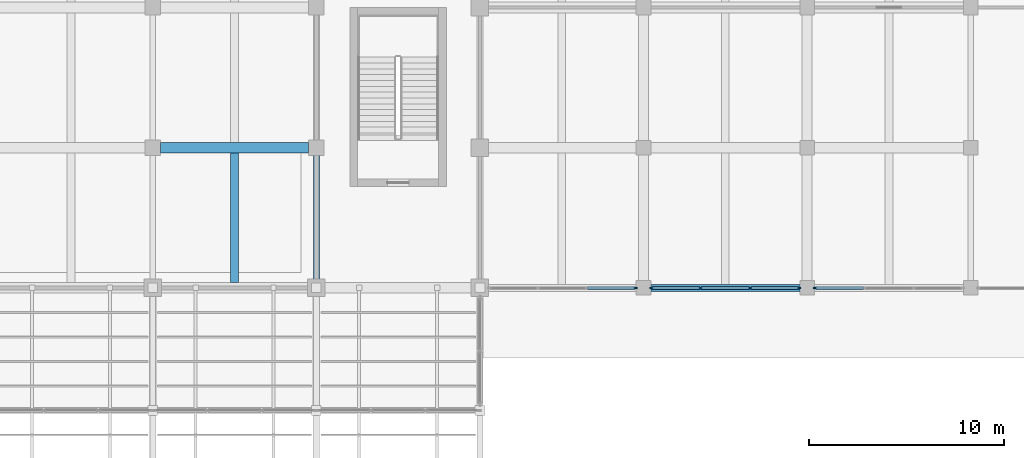
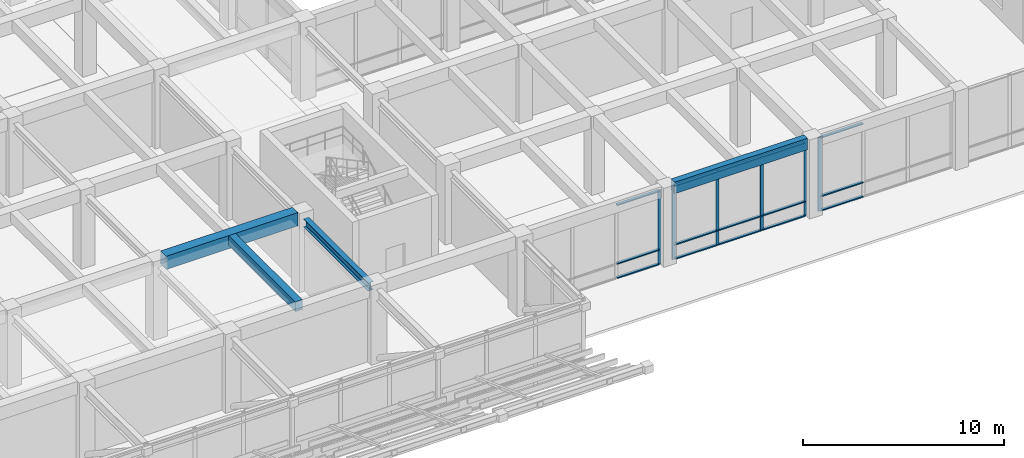
# One storey, part 14 of 52: 21 members, 4 beams, 3 elements without a shape of their own.
"""IFC4 building model written with IfcOpenShell, lengths in metres."""

from ifc_helpers import new_model, si_unit, direction, frame, origin, origin_2d, place, context, subcontext, project, spatial, rectangle, i_section, extrude, material, material_profile, profile_set, type_object, element, aggregate, save


model = new_model("IFC4")

# Units and contexts
model_context = context("Model", 3, precision=1e-05, world=origin(), true_north=direction((0.0, 1.0)))
body_context = subcontext(model_context, "Body", "Model", "MODEL_VIEW")
ifc_project = project(units=[si_unit("LENGTHUNIT", "METRE"), si_unit("AREAUNIT", "SQUARE_METRE"), si_unit("VOLUMEUNIT", "CUBIC_METRE"), si_unit("PLANEANGLEUNIT", "RADIAN"), si_unit("MASSUNIT", "GRAM", prefix="KILO")], contexts=[model_context])

# Site, building, storey
site_placement = place(None, origin())
site = spatial("IfcSite", under=ifc_project, at=site_placement, CompositionType="ELEMENT")
building_placement = place(site_placement, origin())
building = spatial("IfcBuilding", under=site, at=building_placement, Name="Kenerak Square Central Library", CompositionType="ELEMENT")
storey_placement = place(building_placement, frame((0.0, 0.0, 4.800048828125)))
storey = spatial("IfcBuildingStorey", under=building, at=storey_placement, Name="L01", CompositionType="ELEMENT", Elevation=4.800048828125)

# Beam
ifc_material_1 = material(Name="Steel S355", Category="steel")
ifc_material_profile_1 = material_profile(ifc_material_1, i_section(OverallWidth=0.300048828125, OverallDepth=0.5, WebThickness=0.014404296875, FlangeThickness=0.028076171875, FilletRadius=0.027099609375, at=origin_2d()), Name="HEB 500")
ifc_profile_set_1 = profile_set([ifc_material_profile_1], Name="Steel S355")
beam_type_1 = type_object("IfcBeamType", Name="Backspan Steel Girder SB-03 HEB 500 S355", PredefinedType="BEAM", material=ifc_profile_set_1)
beam_1_placement = place(storey_placement, frame((108.800048828125, 17.179931640625, 4.14990234375), z_axis=(0.0, 1.0, 0.0), x_axis=(-1.0, 0.0, 0.0)))
element("IfcBeam", 1, at=beam_1_placement, inside=storey, type_object=beam_type_1, Name="Overhang Backspan Tie Girder 7 L01 097", PredefinedType="BEAM", context=body_context, shape_type="SweptSolid", body=[
    extrude(i_section(OverallWidth=0.300048828125, OverallDepth=0.5, WebThickness=0.014404296875, FlangeThickness=0.028076171875, FilletRadius=0.027099609375, at=origin_2d()), origin(), (0.0, 0.0, 1.0), 6.440185546875),
])

# Curtain wall, member
ifc_material_2 = material(Name="Anodised aluminium and solar-control low-E glazing", Category="aluminium")
curtain_wall_type_1 = type_object("IfcCurtainWallType", Name="Curtain Wall CW-V6-76x45 7650x4500", PredefinedType="USERDEFINED", material=ifc_material_2)
curtain_wall_1_placement = place(storey_placement, origin())
curtain_wall_1 = element("IfcCurtainWall", 2, at=curtain_wall_1_placement, inside=storey, type_object=curtain_wall_type_1, Name="Curtain Wall CW-V6-76x45 L01 0044", ObjectType="CURTAIN WALL", PredefinedType="USERDEFINED")
ifc_material_3 = material(Name="Anodised aluminium 6063-T6", Category="aluminium")
ifc_material_profile_2 = material_profile(ifc_material_3, rectangle(XDim=0.06494140625, YDim=0.179931640625, at=origin_2d()), Name="AL MULLION 65x180")
ifc_profile_set_2 = profile_set([ifc_material_profile_2], Name="Anodised aluminium 6063-T6")
member_type_1 = type_object("IfcMemberType", Name="Curtain Mullion CM-01 65x180", PredefinedType="MULLION", material=ifc_profile_set_2)
member_1_placement = place(storey_placement, frame((134.407470703125, 16.800048828125, 0.0), z_axis=(0.0, 0.0, 1.0), x_axis=(0.0, -1.0, 0.0)))
member_1 = element("IfcMember", 3, at=member_1_placement, type_object=member_type_1, Name="CW-V6-76x45 Mullion 4", PredefinedType="MULLION", context=body_context, shape_type="SweptSolid", body=[
    extrude(rectangle(XDim=0.06494140625, YDim=0.179931640625, at=origin_2d()), origin(), (0.0, 0.0, 1.0), 4.5),
])

# Curtain wall, members
curtain_wall_2_placement = place(storey_placement, origin())
curtain_wall_2 = element("IfcCurtainWall", 4, at=curtain_wall_2_placement, inside=storey, type_object=curtain_wall_type_1, Name="Curtain Wall CW-V6-76x45 L01 0045", ObjectType="CURTAIN WALL", PredefinedType="USERDEFINED")
member_2_placement = place(storey_placement, frame((133.592529296875, 16.800048828125, 0.0), z_axis=(0.0, 0.0, 1.0), x_axis=(0.0, -1.0, 0.0)))
member_2 = element("IfcMember", 5, at=member_2_placement, type_object=member_type_1, Name="CW-V6-76x45 Mullion 1", PredefinedType="MULLION", context=body_context, shape_type="SweptSolid", body=[
    extrude(rectangle(XDim=0.06494140625, YDim=0.179931640625, at=origin_2d()), origin(), (0.0, 0.0, 1.0), 4.5),
])
member_3_placement = place(storey_placement, frame((131.074951171875, 16.800048828125, 0.0), z_axis=(0.0, 0.0, 1.0), x_axis=(0.0, -1.0, 0.0)))
member_3 = element("IfcMember", 6, at=member_3_placement, type_object=member_type_1, Name="CW-V6-76x45 Mullion 2", PredefinedType="MULLION", context=body_context, shape_type="SweptSolid", body=[
    extrude(rectangle(XDim=0.06494140625, YDim=0.179931640625, at=origin_2d()), origin(), (0.0, 0.0, 1.0), 4.5),
])
member_4_placement = place(storey_placement, frame((128.52490234375, 16.800048828125, 0.0), z_axis=(0.0, 0.0, 1.0), x_axis=(0.0, -1.0, 0.0)))
member_4 = element("IfcMember", 7, at=member_4_placement, type_object=member_type_1, Name="CW-V6-76x45 Mullion 3", PredefinedType="MULLION", context=body_context, shape_type="SweptSolid", body=[
    extrude(rectangle(XDim=0.06494140625, YDim=0.179931640625, at=origin_2d()), origin(), (0.0, 0.0, 1.0), 4.5),
])
member_5_placement = place(storey_placement, frame((126.007568359375, 16.800048828125, 0.0), z_axis=(0.0, 0.0, 1.0), x_axis=(0.0, -1.0, 0.0)))
member_5 = element("IfcMember", 8, at=member_5_placement, type_object=member_type_1, Name="CW-V6-76x45 Mullion 4", PredefinedType="MULLION", context=body_context, shape_type="SweptSolid", body=[
    extrude(rectangle(XDim=0.06494140625, YDim=0.179931640625, at=origin_2d()), origin(), (0.0, 0.0, 1.0), 4.5),
])

# Curtain wall, member
curtain_wall_type_2 = type_object("IfcCurtainWallType", Name="Curtain Wall CW-V6-75x45 7575x4500", PredefinedType="USERDEFINED", material=ifc_material_2)
curtain_wall_3_placement = place(storey_placement, origin())
curtain_wall_3 = element("IfcCurtainWall", 9, at=curtain_wall_3_placement, inside=storey, type_object=curtain_wall_type_2, Name="Curtain Wall CW-V6-75x45 L01 0046", ObjectType="CURTAIN WALL", PredefinedType="USERDEFINED")
member_6_placement = place(storey_placement, frame((125.1923828125, 16.800048828125, 0.0), z_axis=(0.0, 0.0, 1.0), x_axis=(0.0, -1.0, 0.0)))
member_6 = element("IfcMember", 10, at=member_6_placement, type_object=member_type_1, Name="CW-V6-75x45 Mullion 1", PredefinedType="MULLION", context=body_context, shape_type="SweptSolid", body=[
    extrude(rectangle(XDim=0.06494140625, YDim=0.179931640625, at=origin_2d()), origin(), (0.0, 0.0, 1.0), 4.5),
])

# Member
ifc_material_profile_3 = material_profile(ifc_material_3, rectangle(XDim=0.159912109375, YDim=0.06494140625, at=origin_2d()), Name="AL TRANSOM 160x65")
ifc_profile_set_3 = profile_set([ifc_material_profile_3], Name="Anodised aluminium 6063-T6")
member_type_2 = type_object("IfcMemberType", Name="Curtain Transom CT-11 160x65", PredefinedType="USERDEFINED", material=ifc_profile_set_3)
member_7_placement = place(storey_placement, frame((136.892578125, 16.800048828125, 0.032470703125), z_axis=(-1.0, 0.0, 0.0), x_axis=(0.0, -1.0, 0.0)))
member_7 = element("IfcMember", 11, at=member_7_placement, type_object=member_type_2, Name="CW-V6-76x45 Transom 3.1", ObjectType="TRANSOM", PredefinedType="USERDEFINED", context=body_context, shape_type="SweptSolid", body=[
    extrude(rectangle(XDim=0.159912109375, YDim=0.06494140625, at=origin_2d()), origin(), (0.0, 0.0, 1.0), 2.45263671875),
])

member_8_placement = place(storey_placement, frame((136.892578125, 16.800048828125, 0.89990234375), z_axis=(-1.0, 0.0, 0.0), x_axis=(0.0, -1.0, 0.0)))
member_8 = element("IfcMember", 12, at=member_8_placement, type_object=member_type_2, Name="CW-V6-76x45 Transom 3.2", ObjectType="TRANSOM", PredefinedType="USERDEFINED", context=body_context, shape_type="SweptSolid", body=[
    extrude(rectangle(XDim=0.159912109375, YDim=0.06494140625, at=origin_2d()), origin(), (0.0, 0.0, 1.0), 2.45263671875),
])

member_9_placement = place(storey_placement, frame((136.892578125, 16.800048828125, 4.467529296875), z_axis=(-1.0, 0.0, 0.0), x_axis=(0.0, -1.0, 0.0)))
member_9 = element("IfcMember", 13, at=member_9_placement, type_object=member_type_2, Name="CW-V6-76x45 Transom 3.3", ObjectType="TRANSOM", PredefinedType="USERDEFINED", context=body_context, shape_type="SweptSolid", body=[
    extrude(rectangle(XDim=0.159912109375, YDim=0.06494140625, at=origin_2d()), origin(), (0.0, 0.0, 1.0), 2.45263671875),
])

aggregate(curtain_wall_1, [member_1, member_7, member_8, member_9])

member_10_placement = place(storey_placement, frame((133.56005859375, 16.800048828125, 0.032470703125), z_axis=(-1.0, 0.0, 0.0), x_axis=(0.0, -1.0, 0.0)))
member_10 = element("IfcMember", 14, at=member_10_placement, type_object=member_type_2, Name="CW-V6-76x45 Transom 1.1", ObjectType="TRANSOM", PredefinedType="USERDEFINED", context=body_context, shape_type="SweptSolid", body=[
    extrude(rectangle(XDim=0.159912109375, YDim=0.06494140625, at=origin_2d()), origin(), (0.0, 0.0, 1.0), 2.45263671875),
])

member_11_placement = place(storey_placement, frame((133.56005859375, 16.800048828125, 0.89990234375), z_axis=(-1.0, 0.0, 0.0), x_axis=(0.0, -1.0, 0.0)))
member_11 = element("IfcMember", 15, at=member_11_placement, type_object=member_type_2, Name="CW-V6-76x45 Transom 1.2", ObjectType="TRANSOM", PredefinedType="USERDEFINED", context=body_context, shape_type="SweptSolid", body=[
    extrude(rectangle(XDim=0.159912109375, YDim=0.06494140625, at=origin_2d()), origin(), (0.0, 0.0, 1.0), 2.45263671875),
])

member_12_placement = place(storey_placement, frame((133.56005859375, 16.800048828125, 4.467529296875), z_axis=(-1.0, 0.0, 0.0), x_axis=(0.0, -1.0, 0.0)))
member_12 = element("IfcMember", 16, at=member_12_placement, type_object=member_type_2, Name="CW-V6-76x45 Transom 1.3", ObjectType="TRANSOM", PredefinedType="USERDEFINED", context=body_context, shape_type="SweptSolid", body=[
    extrude(rectangle(XDim=0.159912109375, YDim=0.06494140625, at=origin_2d()), origin(), (0.0, 0.0, 1.0), 2.45263671875),
])

member_13_placement = place(storey_placement, frame((131.04248046875, 16.800048828125, 0.032470703125), z_axis=(-1.0, 0.0, 0.0), x_axis=(0.0, -1.0, 0.0)))
member_13 = element("IfcMember", 17, at=member_13_placement, type_object=member_type_2, Name="CW-V6-76x45 Transom 2.1", ObjectType="TRANSOM", PredefinedType="USERDEFINED", context=body_context, shape_type="SweptSolid", body=[
    extrude(rectangle(XDim=0.159912109375, YDim=0.06494140625, at=origin_2d()), origin(), (0.0, 0.0, 1.0), 2.48486328125),
])

member_14_placement = place(storey_placement, frame((131.04248046875, 16.800048828125, 0.89990234375), z_axis=(-1.0, 0.0, 0.0), x_axis=(0.0, -1.0, 0.0)))
member_14 = element("IfcMember", 18, at=member_14_placement, type_object=member_type_2, Name="CW-V6-76x45 Transom 2.2", ObjectType="TRANSOM", PredefinedType="USERDEFINED", context=body_context, shape_type="SweptSolid", body=[
    extrude(rectangle(XDim=0.159912109375, YDim=0.06494140625, at=origin_2d()), origin(), (0.0, 0.0, 1.0), 2.48486328125),
])

member_15_placement = place(storey_placement, frame((131.04248046875, 16.800048828125, 4.467529296875), z_axis=(-1.0, 0.0, 0.0), x_axis=(0.0, -1.0, 0.0)))
member_15 = element("IfcMember", 19, at=member_15_placement, type_object=member_type_2, Name="CW-V6-76x45 Transom 2.3", ObjectType="TRANSOM", PredefinedType="USERDEFINED", context=body_context, shape_type="SweptSolid", body=[
    extrude(rectangle(XDim=0.159912109375, YDim=0.06494140625, at=origin_2d()), origin(), (0.0, 0.0, 1.0), 2.48486328125),
])

member_16_placement = place(storey_placement, frame((128.492431640625, 16.800048828125, 0.032470703125), z_axis=(-1.0, 0.0, 0.0), x_axis=(0.0, -1.0, 0.0)))
member_16 = element("IfcMember", 20, at=member_16_placement, type_object=member_type_2, Name="CW-V6-76x45 Transom 3.1", ObjectType="TRANSOM", PredefinedType="USERDEFINED", context=body_context, shape_type="SweptSolid", body=[
    extrude(rectangle(XDim=0.159912109375, YDim=0.06494140625, at=origin_2d()), origin(), (0.0, 0.0, 1.0), 2.452392578125),
])

member_17_placement = place(storey_placement, frame((128.492431640625, 16.800048828125, 0.89990234375), z_axis=(-1.0, 0.0, 0.0), x_axis=(0.0, -1.0, 0.0)))
member_17 = element("IfcMember", 21, at=member_17_placement, type_object=member_type_2, Name="CW-V6-76x45 Transom 3.2", ObjectType="TRANSOM", PredefinedType="USERDEFINED", context=body_context, shape_type="SweptSolid", body=[
    extrude(rectangle(XDim=0.159912109375, YDim=0.06494140625, at=origin_2d()), origin(), (0.0, 0.0, 1.0), 2.452392578125),
])

member_18_placement = place(storey_placement, frame((128.492431640625, 16.800048828125, 4.467529296875), z_axis=(-1.0, 0.0, 0.0), x_axis=(0.0, -1.0, 0.0)))
member_18 = element("IfcMember", 22, at=member_18_placement, type_object=member_type_2, Name="CW-V6-76x45 Transom 3.3", ObjectType="TRANSOM", PredefinedType="USERDEFINED", context=body_context, shape_type="SweptSolid", body=[
    extrude(rectangle(XDim=0.159912109375, YDim=0.06494140625, at=origin_2d()), origin(), (0.0, 0.0, 1.0), 2.452392578125),
])

aggregate(curtain_wall_2, [member_2, member_3, member_4, member_5, member_10, member_11, member_12, member_13, member_14, member_15, member_16, member_17, member_18])

member_19_placement = place(storey_placement, frame((125.159912109375, 16.800048828125, 0.032470703125), z_axis=(-1.0, 0.0, 0.0), x_axis=(0.0, -1.0, 0.0)))
member_19 = element("IfcMember", 23, at=member_19_placement, type_object=member_type_2, Name="CW-V6-75x45 Transom 1.1", ObjectType="TRANSOM", PredefinedType="USERDEFINED", context=body_context, shape_type="SweptSolid", body=[
    extrude(rectangle(XDim=0.159912109375, YDim=0.06494140625, at=origin_2d()), origin(), (0.0, 0.0, 1.0), 2.427490234375),
])

member_20_placement = place(storey_placement, frame((125.159912109375, 16.800048828125, 0.89990234375), z_axis=(-1.0, 0.0, 0.0), x_axis=(0.0, -1.0, 0.0)))
member_20 = element("IfcMember", 24, at=member_20_placement, type_object=member_type_2, Name="CW-V6-75x45 Transom 1.2", ObjectType="TRANSOM", PredefinedType="USERDEFINED", context=body_context, shape_type="SweptSolid", body=[
    extrude(rectangle(XDim=0.159912109375, YDim=0.06494140625, at=origin_2d()), origin(), (0.0, 0.0, 1.0), 2.427490234375),
])

member_21_placement = place(storey_placement, frame((125.159912109375, 16.800048828125, 4.467529296875), z_axis=(-1.0, 0.0, 0.0), x_axis=(0.0, -1.0, 0.0)))
member_21 = element("IfcMember", 25, at=member_21_placement, type_object=member_type_2, Name="CW-V6-75x45 Transom 1.3", ObjectType="TRANSOM", PredefinedType="USERDEFINED", context=body_context, shape_type="SweptSolid", body=[
    extrude(rectangle(XDim=0.159912109375, YDim=0.06494140625, at=origin_2d()), origin(), (0.0, 0.0, 1.0), 2.427490234375),
])

aggregate(curtain_wall_3, [member_6, member_19, member_20, member_21])

# Beams
ifc_material_4 = material(Name="Concrete C40/50", Category="concrete")
ifc_material_profile_4 = material_profile(ifc_material_4, rectangle(XDim=0.35009765625, YDim=0.699951171875, at=origin_2d()), Name="RC 350x700")
ifc_profile_set_4 = profile_set([ifc_material_profile_4], Name="Concrete C40/50")
beam_type_2 = type_object("IfcBeamType", Name="Expressed Spandrel Beam SP-01 RC 350x700 C40/50", PredefinedType="SPANDREL", material=ifc_profile_set_4)
beam_2_placement = place(storey_placement, frame((125.97509765625, 16.800048828125, 4.449951171875), z_axis=(1.0, 0.0, 0.0), x_axis=(0.0, 1.0, 0.0)))
element("IfcBeam", 26, at=beam_2_placement, inside=storey, type_object=beam_type_2, Name="Beam SP-01 L01 0869", PredefinedType="SPANDREL", context=body_context, shape_type="SweptSolid", body=[
    extrude(rectangle(XDim=0.35009765625, YDim=0.699951171875, at=origin_2d()), origin(), (0.0, 0.0, 1.0), 7.64990234375),
])
ifc_material_profile_5 = material_profile(ifc_material_4, rectangle(XDim=0.550048828125, YDim=0.800048828125, at=origin_2d()), Name="RC 550x800")
ifc_profile_set_5 = profile_set([ifc_material_profile_5], Name="Concrete C40/50")
beam_type_3 = type_object("IfcBeamType", Name="Primary Reading Beam B-04 RC 550x800 C40/50", PredefinedType="BEAM", material=ifc_profile_set_5)
beam_3_placement = place(storey_placement, frame((100.800048828125, 24.0, 4.39990234375), z_axis=(1.0, 0.0, 0.0), x_axis=(0.0, 1.0, 0.0)))
element("IfcBeam", 27, at=beam_3_placement, inside=storey, type_object=beam_type_3, Name="Beam B-04 L01 0878", PredefinedType="BEAM", context=body_context, shape_type="SweptSolid", body=[
    extrude(rectangle(XDim=0.550048828125, YDim=0.800048828125, at=origin_2d()), origin(), (0.0, 0.0, 1.0), 7.599853515625),
])
ifc_material_profile_6 = material_profile(ifc_material_4, rectangle(XDim=0.39990234375, YDim=0.60009765625, at=origin_2d()), Name="RC 400x600")
ifc_profile_set_6 = profile_set([ifc_material_profile_6], Name="Concrete C40/50")
beam_type_4 = type_object("IfcBeamType", Name="Secondary Floor Joist J-01 RC 400x600 C40/50", PredefinedType="JOIST", material=ifc_profile_set_6)
beam_4_placement = place(storey_placement, frame((104.60009765625, 17.074951171875, 4.5), z_axis=(0.0, 1.0, 0.0), x_axis=(-1.0, 0.0, 0.0)))
element("IfcBeam", 28, at=beam_4_placement, inside=storey, type_object=beam_type_4, Name="Joist J-01 L01 1154", PredefinedType="JOIST", context=body_context, shape_type="SweptSolid", body=[
    extrude(rectangle(XDim=0.39990234375, YDim=0.60009765625, at=origin_2d()), origin(), (0.0, 0.0, 1.0), 6.650146484375),
])

save(model, "model.ifc")
